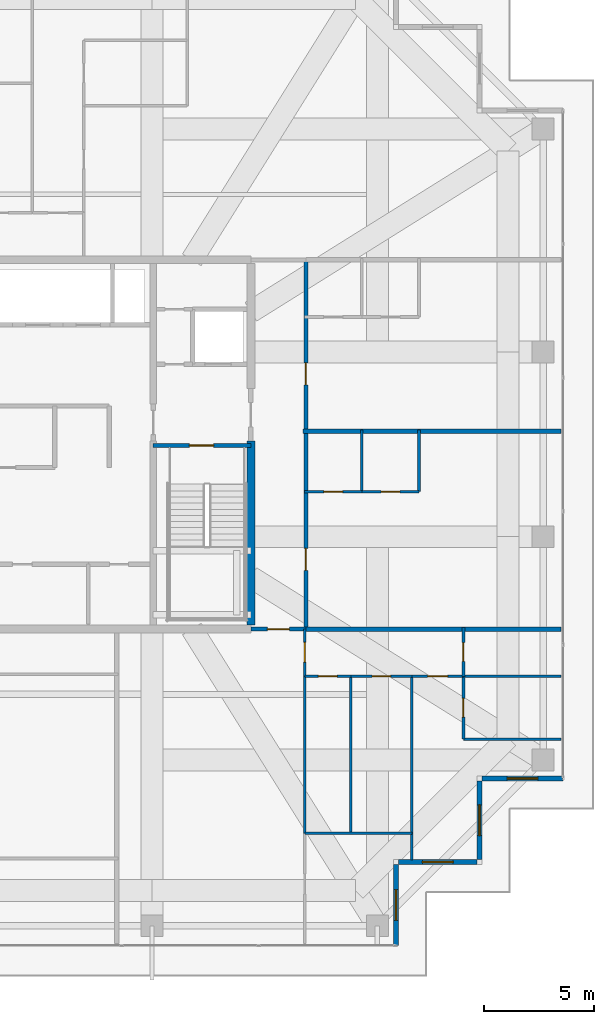
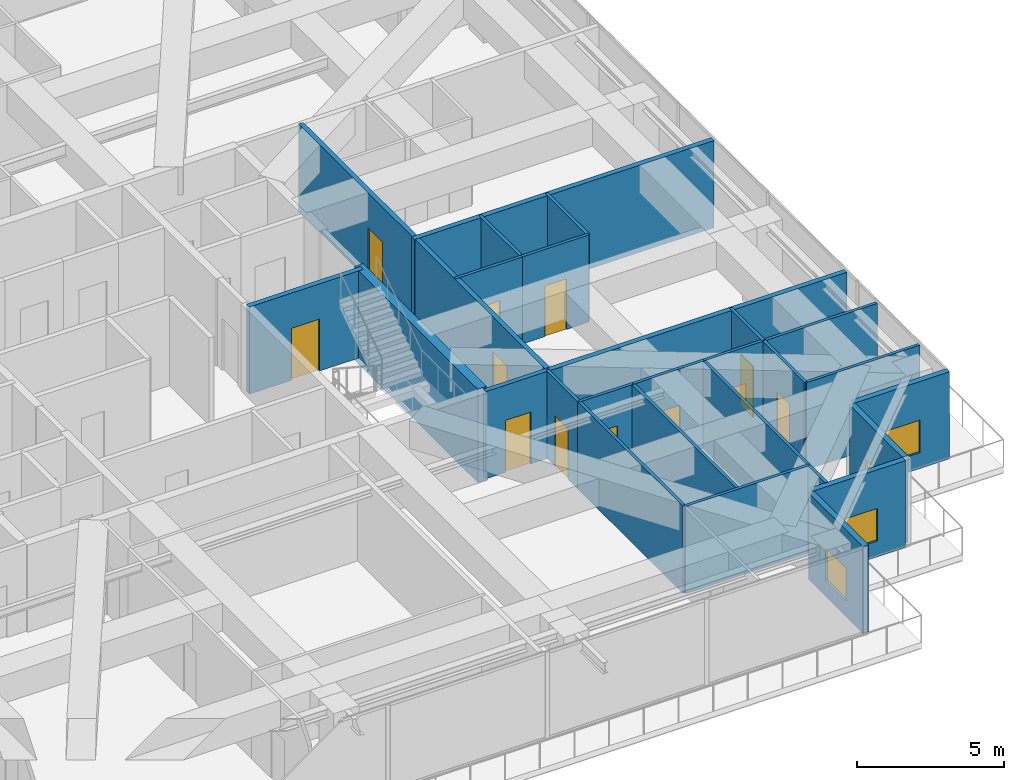
# One storey, part 31 of 40: 26 walls, 12 doors, 4 windows, 16 openings.
"""IFC4 building model written with IfcOpenShell, lengths in metres."""

import ifcopenshell
import ifcopenshell.guid

model = None  # the IFC model being written
_history = None  # IfcOwnerHistory: only IFC2X3 demands one
_inside = {}  # id of a spatial element -> (the spatial element, [elements in it])
_under = {}  # id of a project, library or spatial element -> (it, [spatial elements below it])
_declared = {}  # id of a project -> (the project, [libraries it declares])
_typed = {}  # id of a type object -> (the type object, [elements of that type])
_made_of = {}  # id of a material, layer set ... -> (it, [elements and type objects made of it])


def new_model(schema):
    """Start an empty IFC model of exactly this schema.

    Asked for "IFC4X3", IfcOpenShell would pick the latest addendum, in which some entities
    have other attributes; the version numbers below select the first issue.
    IFC2X3 requires an IfcOwnerHistory on every rooted entity: one is made here for all.
    """
    global model, _history
    if schema == "IFC4X3":
        model = ifcopenshell.file(schema_version=(4, 3, 0, 0))
    else:
        model = ifcopenshell.file(schema=schema)
    _inside.clear()
    _under.clear()
    _declared.clear()
    _typed.clear()
    _made_of.clear()
    _history = None
    if model.schema == "IFC2X3":
        org = make("IfcOrganization", Name="unknown")
        user = make(
            "IfcPersonAndOrganization",
            ThePerson=make("IfcPerson", FamilyName="unknown"),
            TheOrganization=org,
        )
        app = make(
            "IfcApplication",
            ApplicationDeveloper=org,
            Version="unknown",
            ApplicationFullName="unknown",
            ApplicationIdentifier="unknown",
        )
        _history = make(
            "IfcOwnerHistory",
            OwningUser=user,
            OwningApplication=app,
            ChangeAction="ADDED",
            CreationDate=0,
        )
    return model


def make(cls, **values):
    """One entity of the class cls with the attributes given. An attribute that is None is left unset."""
    return model.create_entity(
        cls, **{name: value for name, value in values.items() if value is not None}
    )


def rooted(cls, **values):
    """An entity with a GlobalId (a new one), such as an element, a storey or a relation."""
    return make(cls, GlobalId=ifcopenshell.guid.new(), OwnerHistory=_history, **values)


def si_unit(unit_type, name, prefix=None):
    """IfcSIUnit, for example si_unit("LENGTHUNIT", "METRE", prefix="MILLI")."""
    return make("IfcSIUnit", UnitType=unit_type, Prefix=prefix, Name=name)


def assignment(units):
    """IfcUnitAssignment: the units of a project."""
    return None if units is None else make("IfcUnitAssignment", Units=units)


def point(xyz):
    """IfcCartesianPoint."""
    return None if xyz is None else make("IfcCartesianPoint", Coordinates=xyz)


def direction(xyz):
    """IfcDirection."""
    return None if xyz is None else make("IfcDirection", DirectionRatios=xyz)


def frame(location, z_axis=None, x_axis=None):
    """IfcAxis2Placement3D, a coordinate frame: its origin and axes. An axis left out is left unset."""
    return make(
        "IfcAxis2Placement3D",
        Location=point(location),
        Axis=direction(z_axis),
        RefDirection=direction(x_axis),
    )


def frame_2d(location, x_axis=None):
    """IfcAxis2Placement2D, a coordinate frame in the plane: its origin and x axis."""
    return make(
        "IfcAxis2Placement2D", Location=point(location), RefDirection=direction(x_axis)
    )


def origin():
    """The frame at (0, 0, 0) with its axes left unset."""
    return frame((0.0, 0.0, 0.0))


def place(relative_to, where):
    """IfcLocalPlacement: puts the frame where relative to a parent placement (None: the world)."""
    return make(
        "IfcLocalPlacement", PlacementRelTo=relative_to, RelativePlacement=where
    )


def context(
    kind, dimensions, precision=None, world=None, true_north=None, identifier=None
):
    """IfcGeometricRepresentationContext, for example the 3D "Model" context."""
    return make(
        "IfcGeometricRepresentationContext",
        ContextIdentifier=identifier,
        ContextType=kind,
        CoordinateSpaceDimension=dimensions,
        Precision=precision,
        WorldCoordinateSystem=world,
        TrueNorth=true_north,
    )


def subcontext(parent, identifier, kind, view, scale=None):
    """IfcGeometricRepresentationSubContext, for example "Body" below "Model"."""
    return make(
        "IfcGeometricRepresentationSubContext",
        ContextIdentifier=identifier,
        ContextType=kind,
        ParentContext=parent,
        TargetScale=scale,
        TargetView=view,
    )


def project(units=None, contexts=None):
    """IfcProject with its units and contexts."""
    return rooted(
        "IfcProject",
        Name="project",
        RepresentationContexts=contexts,
        UnitsInContext=assignment(units),
    )


def spatial(cls, under=None, at=None, **own):
    """A site, building, storey or space (cls), placed at a placement, below another one or the project."""
    s = rooted(cls, ObjectPlacement=at, **own)
    if under is not None:
        _under.setdefault(under.id(), (under, []))[1].append(s)
    return s


def profile(cls, at=None, kind="AREA", **sizes):
    """A parametric profile (cls). Its sizes go by their IFC names, for example OverallWidth=200.0."""
    return make(cls, ProfileType=kind, Position=at, **sizes)


def rectangle(**sizes):
    """IfcRectangleProfileDef."""
    return profile("IfcRectangleProfileDef", **sizes)


def extrude(swept, where, along, depth):
    """IfcExtrudedAreaSolid: the profile swept, set in the frame where, extruded along a direction by depth."""
    return make(
        "IfcExtrudedAreaSolid",
        SweptArea=swept,
        Position=where,
        ExtrudedDirection=direction(along),
        Depth=depth,
    )


def shape(context_of_items, identifier, shape_type, items):
    """IfcShapeRepresentation: the items that make up one representation, for example the "Body"."""
    return make(
        "IfcShapeRepresentation",
        ContextOfItems=context_of_items,
        RepresentationIdentifier=identifier,
        RepresentationType=shape_type,
        Items=items,
    )


def source(mapping_origin, context_of_items, identifier, shape_type, items):
    """IfcRepresentationMap: a shape defined once, which mapped items show again and again."""
    return make(
        "IfcRepresentationMap",
        MappingOrigin=mapping_origin,
        MappedRepresentation=shape(context_of_items, identifier, shape_type, items),
    )


def transform(
    local_origin,
    x_axis=None,
    y_axis=None,
    z_axis=None,
    scale=None,
    scale2=None,
    scale3=None,
    uniform=True,
):
    """IfcCartesianTransformationOperator3D, or its non-uniform kind. x_axis, y_axis, z_axis: its Axis1, 2, 3."""
    if uniform:
        return make(
            "IfcCartesianTransformationOperator3D",
            Axis1=direction(x_axis),
            Axis2=direction(y_axis),
            LocalOrigin=point(local_origin),
            Scale=scale,
            Axis3=direction(z_axis),
        )
    return make(
        "IfcCartesianTransformationOperator3DnonUniform",
        Axis1=direction(x_axis),
        Axis2=direction(y_axis),
        LocalOrigin=point(local_origin),
        Scale=scale,
        Axis3=direction(z_axis),
        Scale2=scale2,
        Scale3=scale3,
    )


def mapped(mapping_source, mapping_target):
    """IfcMappedItem: shows the shape of a source again, moved by a transform."""
    return make(
        "IfcMappedItem", MappingSource=mapping_source, MappingTarget=mapping_target
    )


def material(Name=None, Category=None):
    """IfcMaterial."""
    return make("IfcMaterial", Name=Name, Category=Category)


def layer(
    of_material, thickness, ventilated=None, Name=None, Category=None, Priority=None
):
    """IfcMaterialLayer: one layer of a wall or slab, of a material (None: an air gap)."""
    return make(
        "IfcMaterialLayer",
        Material=of_material,
        LayerThickness=thickness,
        IsVentilated=ventilated,
        Name=Name,
        Category=Category,
        Priority=Priority,
    )


def layer_set(layers, Name=None):
    """IfcMaterialLayerSet."""
    return make("IfcMaterialLayerSet", MaterialLayers=layers, LayerSetName=Name)


def made_of(thing, what):
    """Note that an element or type object is made of a material, layer set ...; save() writes the relation."""
    if what is not None:
        _made_of.setdefault(what.id(), (what, []))[1].append(thing)
    return thing


def type_object(cls, material=None, **own):
    """A type object (cls), such as IfcWallType, which elements share."""
    return made_of(rooted(cls, **own), material)


def element(
    cls,
    number,
    at=None,
    inside=None,
    cuts=None,
    type_object=None,
    material=None,
    context=None,
    identifier="Body",
    shape_type=None,
    held_by="IfcProductDefinitionShape",
    body=None,
    shapes=None,
    **own,
):
    """One element of the class cls, such as IfcWall. Its Tag is "e" and its number.

    at: its placement. inside: the storey or other place that contains it. cuts: it is an
    opening in that element (IfcRelVoidsElement). A single representation is given by context,
    identifier, shape_type and body (its items); several are given by shapes. held_by: the class
    of the entity that holds the representations. save() writes the other relations.
    """
    e = rooted(cls, Tag="e%d" % number, ObjectPlacement=at, **own)
    if body is not None:
        shapes = [shape(context, identifier, shape_type, body)]
    if shapes is not None:
        e.Representation = make(held_by, Representations=shapes)
    if inside is not None:
        _inside.setdefault(inside.id(), (inside, []))[1].append(e)
    if cuts is not None:
        rooted(
            "IfcRelVoidsElement", RelatingBuildingElement=cuts, RelatedOpeningElement=e
        )
    if type_object is not None:
        _typed.setdefault(type_object.id(), (type_object, []))[1].append(e)
    return made_of(e, material)


def fill(opening, filler):
    """IfcRelFillsElement: the door or window that sits in an opening."""
    return rooted(
        "IfcRelFillsElement",
        RelatingOpeningElement=opening,
        RelatedBuildingElement=filler,
    )


def aggregate(whole, parts):
    """IfcRelAggregates: a whole, such as a stair, and the parts it consists of."""
    return rooted("IfcRelAggregates", RelatingObject=whole, RelatedObjects=parts)


def save(model, path):
    """Write the relations noted so far, then the file.

    IfcRelAggregates (storeys below a building ...), IfcRelContainedInSpatialStructure (elements
    in a storey), IfcRelDefinesByType, IfcRelAssociatesMaterial and IfcRelDeclares: one each for
    every whole, place, type object, material and project.
    """
    for whole, parts in _under.values():
        aggregate(whole, parts)
    for where, things in _inside.values():
        rooted(
            "IfcRelContainedInSpatialStructure",
            RelatedElements=things,
            RelatingStructure=where,
        )
    for kind, things in _typed.values():
        rooted("IfcRelDefinesByType", RelatedObjects=things, RelatingType=kind)
    for what, things in _made_of.values():
        rooted("IfcRelAssociatesMaterial", RelatedObjects=things, RelatingMaterial=what)
    for by, libraries in _declared.values():
        rooted("IfcRelDeclares", RelatingContext=by, RelatedDefinitions=libraries)
    model.write(path)


model = new_model("IFC4")

# Units and contexts
model_context = context("Model", 3, precision=1e-05, world=origin(), true_north=direction((0.0, 1.0)))
body_context = subcontext(model_context, "Body", "Model", "MODEL_VIEW")
ifc_project = project(units=[si_unit("LENGTHUNIT", "METRE"), si_unit("AREAUNIT", "SQUARE_METRE"), si_unit("VOLUMEUNIT", "CUBIC_METRE"), si_unit("PLANEANGLEUNIT", "RADIAN"), si_unit("MASSUNIT", "GRAM", prefix="KILO")], contexts=[model_context])

# Site, building, storey
site_placement = place(None, origin())
site = spatial("IfcSite", under=ifc_project, at=site_placement, CompositionType="ELEMENT")
building_placement = place(site_placement, origin())
building = spatial("IfcBuilding", under=site, at=building_placement, Name="Serunith Strait Residences", CompositionType="ELEMENT")
storey_placement = place(building_placement, frame((0.0, 0.0, 333.949951171875)))
storey = spatial("IfcBuildingStorey", under=building, at=storey_placement, Name="L83", CompositionType="ELEMENT", Elevation=333.949951171875)

# Wall, opening, window
ifc_material_1 = material(Name="Pale-Champagne Aluminium Insulated Panel", Category="aluminium")
ifc_layer_1 = layer(ifc_material_1, 0.219970703125, Name="Pale-Champagne Aluminium Insulated Panel")
ifc_layer_set_1 = layer_set([ifc_layer_1], Name="Pale-Champagne Aluminium Insulated Panel")
wall_type_1 = type_object("IfcWallType", Name="EW-ALUM-220", PredefinedType="ELEMENTEDWALL", material=ifc_layer_set_1)
wall_1_placement = place(storey_placement, frame((48.0, 2.39990234375, 0.0), z_axis=(0.0, 0.0, 1.0), x_axis=(0.0, 1.0, 0.0)))
wall_1 = element("IfcWall", 1, at=wall_1_placement, inside=storey, type_object=wall_type_1, Name="L83 Girih Serrated Corner Wall 02", PredefinedType="ELEMENTEDWALL", context=body_context, shape_type="SweptSolid", body=[
    extrude(rectangle(XDim=3.690185546875, YDim=0.219970703125, at=frame_2d((1.84521484375, 0.0))), origin(), (0.0, 0.0, 1.0), 3.594970703125),
])
opening_1_placement = place(wall_1_placement, frame((1.14501953125, 0.0, 0.64990234375)))
opening_1 = element("IfcOpeningElement", 2, at=opening_1_placement, cuts=wall_1, Name="Opening W-09", PredefinedType="OPENING", context=body_context, shape_type="SweptSolid", body=[
    extrude(rectangle(XDim=1.39990234375, YDim=1.35009765625, at=frame_2d((0.699951171875, 0.675048828125))), frame((0.0, 0.1201171875, 0.0), z_axis=(0.0, -1.0, 0.0), x_axis=(1.0, 0.0, 0.0)), (0.0, 0.0, 1.0), 0.239990234375),
])
ifc_material_2 = material(Name="Setback Spandrel Ceramic-Fritted Operable Window Glass", Category="glass")
window_type = type_object("IfcWindowType", Name="WIN-C7", PartitioningType="DOUBLE_PANEL_VERTICAL", PredefinedType="WINDOW", material=ifc_material_2)
shared_shape_1 = source(origin(), body_context, "Body", "SweptSolid", [
    extrude(rectangle(XDim=1.39990234375, YDim=1.35009765625, at=frame_2d((0.699951171875, 0.675048828125))), frame((0.0, 0.030029296875, 0.0), z_axis=(0.0, -1.0, 0.0), x_axis=(1.0, 0.0, 0.0)), (0.0, 0.0, 1.0), 0.06005859375),
])
window_1_placement = place(opening_1_placement, origin())
window_1 = element("IfcWindow", 3, at=window_1_placement, inside=storey, type_object=window_type, Name="L83 Corner Operable Fritted Window 02", OverallHeight=1.35009765625, OverallWidth=1.39990234375, PartitioningType="SINGLE_PANEL", PredefinedType="WINDOW", context=body_context, shape_type="MappedRepresentation", body=[
    mapped(shared_shape_1, transform((0.0, 0.0, 0.0), scale=1.0)),
])
fill(opening_1, window_1)

wall_2_placement = place(storey_placement, frame((48.110107421875, 6.199951171875, 0.0), z_axis=(0.0, 0.0, 1.0), x_axis=(1.0, 0.0, 0.0)))
wall_2 = element("IfcWall", 4, at=wall_2_placement, inside=storey, type_object=wall_type_1, Name="L83 Girih Serrated Corner Wall 03", PredefinedType="ELEMENTEDWALL", context=body_context, shape_type="SweptSolid", body=[
    extrude(rectangle(XDim=3.579833984375, YDim=0.219970703125, at=frame_2d((1.7900390625, 0.0))), origin(), (0.0, 0.0, 1.0), 3.594970703125),
])
opening_2_placement = place(wall_2_placement, frame((1.090087890625, 0.0, 0.64990234375)))
opening_2 = element("IfcOpeningElement", 5, at=opening_2_placement, cuts=wall_2, Name="Opening W-09", PredefinedType="OPENING", context=body_context, shape_type="SweptSolid", body=[
    extrude(rectangle(XDim=1.39990234375, YDim=1.35009765625, at=frame_2d((0.699951171875, 0.675048828125))), frame((0.0, 0.1201171875, 0.0), z_axis=(0.0, -1.0, 0.0), x_axis=(1.0, 0.0, 0.0)), (0.0, 0.0, 1.0), 0.239990234375),
])
window_2_placement = place(opening_2_placement, origin())
window_2 = element("IfcWindow", 6, at=window_2_placement, inside=storey, type_object=window_type, Name="L83 Corner Operable Fritted Window 03", OverallHeight=1.35009765625, OverallWidth=1.39990234375, PartitioningType="SINGLE_PANEL", PredefinedType="WINDOW", context=body_context, shape_type="MappedRepresentation", body=[
    mapped(shared_shape_1, transform((0.0, 0.0, 0.0), scale=1.0)),
])
fill(opening_2, window_2)

wall_3_placement = place(storey_placement, frame((51.800048828125, 6.31005859375, 0.0), z_axis=(0.0, 0.0, 1.0), x_axis=(0.0, 1.0, 0.0)))
wall_3 = element("IfcWall", 7, at=wall_3_placement, inside=storey, type_object=wall_type_1, Name="L83 Girih Serrated Corner Wall 04", PredefinedType="ELEMENTEDWALL", context=body_context, shape_type="SweptSolid", body=[
    extrude(rectangle(XDim=3.579833984375, YDim=0.219970703125, at=frame_2d((1.7900390625, 0.0))), origin(), (0.0, 0.0, 1.0), 3.594970703125),
])
opening_3_placement = place(wall_3_placement, frame((1.090087890625, 0.0, 0.64990234375)))
opening_3 = element("IfcOpeningElement", 8, at=opening_3_placement, cuts=wall_3, Name="Opening W-09", PredefinedType="OPENING", context=body_context, shape_type="SweptSolid", body=[
    extrude(rectangle(XDim=1.39990234375, YDim=1.35009765625, at=frame_2d((0.699951171875, 0.675048828125))), frame((0.0, 0.1201171875, 0.0), z_axis=(0.0, -1.0, 0.0), x_axis=(1.0, 0.0, 0.0)), (0.0, 0.0, 1.0), 0.239990234375),
])
window_3_placement = place(opening_3_placement, origin())
window_3 = element("IfcWindow", 9, at=window_3_placement, inside=storey, type_object=window_type, Name="L83 Corner Operable Fritted Window 04", OverallHeight=1.35009765625, OverallWidth=1.39990234375, PartitioningType="SINGLE_PANEL", PredefinedType="WINDOW", context=body_context, shape_type="MappedRepresentation", body=[
    mapped(shared_shape_1, transform((0.0, 0.0, 0.0), scale=1.0)),
])
fill(opening_3, window_3)

wall_4_placement = place(storey_placement, frame((51.909912109375, 10.0, 0.0), z_axis=(0.0, 0.0, 1.0), x_axis=(1.0, 0.0, 0.0)))
wall_4 = element("IfcWall", 10, at=wall_4_placement, inside=storey, type_object=wall_type_1, Name="L83 Girih Serrated Corner Wall 05", PredefinedType="ELEMENTEDWALL", context=body_context, shape_type="SweptSolid", body=[
    extrude(rectangle(XDim=3.690185546875, YDim=0.219970703125, at=frame_2d((1.84521484375, 0.0))), origin(), (0.0, 0.0, 1.0), 3.594970703125),
])
opening_4_placement = place(wall_4_placement, frame((1.14501953125, 0.0, 0.64990234375)))
opening_4 = element("IfcOpeningElement", 11, at=opening_4_placement, cuts=wall_4, Name="Opening W-09", PredefinedType="OPENING", context=body_context, shape_type="SweptSolid", body=[
    extrude(rectangle(XDim=1.39990234375, YDim=1.35009765625, at=frame_2d((0.699951171875, 0.675048828125))), frame((0.0, 0.1201171875, 0.0), z_axis=(0.0, -1.0, 0.0), x_axis=(1.0, 0.0, 0.0)), (0.0, 0.0, 1.0), 0.239990234375),
])
window_4_placement = place(opening_4_placement, origin())
window_4 = element("IfcWindow", 12, at=window_4_placement, inside=storey, type_object=window_type, Name="L83 Corner Operable Fritted Window 05", OverallHeight=1.35009765625, OverallWidth=1.39990234375, PartitioningType="SINGLE_PANEL", PredefinedType="WINDOW", context=body_context, shape_type="MappedRepresentation", body=[
    mapped(shared_shape_1, transform((0.0, 0.0, 0.0), scale=1.0)),
])
fill(opening_4, window_4)

# Wall, opening, door
ifc_material_3 = material(Name="Fire-rated acoustic gypsum partition")
ifc_layer_2 = layer(ifc_material_3, 0.179931640625, Name="Fire-rated acoustic gypsum partition")
ifc_layer_set_2 = layer_set([ifc_layer_2], Name="Fire-rated acoustic gypsum partition")
wall_type_2 = type_object("IfcWallType", Name="IW-CORR-180", PredefinedType="PARTITIONING", material=ifc_layer_set_2)
wall_5_placement = place(storey_placement, frame((41.402099609375, 16.800048828125, 0.0), z_axis=(0.0, 0.0, 1.0), x_axis=(1.0, 0.0, 0.0)))
wall_5 = element("IfcWall", 13, at=wall_5_placement, inside=storey, type_object=wall_type_2, Name="L83 Partition Wall 030", PredefinedType="PARTITIONING", context=body_context, shape_type="SweptSolid", body=[
    extrude(rectangle(XDim=2.495849609375, YDim=0.179931640625, at=frame_2d((1.248046875, 0.0))), origin(), (0.0, 0.0, 1.0), 3.610107421875),
])
opening_5_placement = place(wall_5_placement, frame((0.748046875, 0.0, 0.0)))
opening_5 = element("IfcOpeningElement", 14, at=opening_5_placement, cuts=wall_5, Name="Opening D-APT1000", PredefinedType="OPENING", context=body_context, shape_type="SweptSolid", body=[
    extrude(rectangle(XDim=1.0, YDim=2.14990234375, at=frame_2d((0.5, 1.074951171875))), frame((0.0, 0.10009765625, 0.0), z_axis=(0.0, -1.0, 0.0), x_axis=(1.0, 0.0, 0.0)), (0.0, 0.0, 1.0), 0.199951171875),
])
ifc_material_4 = material(Name="Solid timber engineered fire door", Category="wood")
door_type_1 = type_object("IfcDoorType", Name="ID-APT-1000", OperationType="NOTDEFINED", PredefinedType="DOOR", material=ifc_material_4)
shared_shape_2 = source(origin(), body_context, "Body", "SweptSolid", [
    extrude(rectangle(XDim=1.0, YDim=2.14990234375, at=frame_2d((0.5, 1.074951171875))), frame((0.0, 0.02490234375, 0.0), z_axis=(0.0, -1.0, 0.0), x_axis=(1.0, 0.0, 0.0)), (0.0, 0.0, 1.0), 0.050048828125),
])
door_1_placement = place(opening_5_placement, origin())
door_1 = element("IfcDoor", 15, at=door_1_placement, inside=storey, type_object=door_type_1, Name="L83 Unit 02 Entrance Door", OperationType="SINGLE_SWING_LEFT", OverallHeight=2.14990234375, OverallWidth=1.0, PredefinedType="DOOR", context=body_context, shape_type="MappedRepresentation", body=[
    mapped(shared_shape_2, transform((0.0, 0.0, 0.0), scale=1.0)),
])
fill(opening_5, door_1)

# Wall, openings, doors
wall_6_placement = place(storey_placement, frame((43.89990234375, 16.800048828125, 0.0), z_axis=(0.0, 0.0, 1.0), x_axis=(0.0, 1.0, 0.0)))
wall_6 = element("IfcWall", 16, at=wall_6_placement, inside=storey, type_object=wall_type_2, Name="L83 Partition Wall 032", PredefinedType="PARTITIONING", context=body_context, shape_type="SweptSolid", body=[
    extrude(rectangle(XDim=16.800048828125, YDim=0.179931640625, at=frame_2d((8.39990234375, 0.0))), origin(), (0.0, 0.0, 1.0), 3.610107421875),
])
opening_6_placement = place(wall_6_placement, frame((2.669921875, 0.0, 0.0)))
opening_6 = element("IfcOpeningElement", 17, at=opening_6_placement, cuts=wall_6, Name="Opening D-APT1000", PredefinedType="OPENING", context=body_context, shape_type="SweptSolid", body=[
    extrude(rectangle(XDim=1.0, YDim=2.14990234375, at=frame_2d((0.5, 1.074951171875))), frame((0.0, 0.10009765625, 0.0), z_axis=(0.0, -1.0, 0.0), x_axis=(1.0, 0.0, 0.0)), (0.0, 0.0, 1.0), 0.199951171875),
])
opening_7_placement = place(wall_6_placement, frame((11.10693359375, 0.0, 0.0)))
opening_7 = element("IfcOpeningElement", 18, at=opening_7_placement, cuts=wall_6, Name="Opening D-APT1000", PredefinedType="OPENING", context=body_context, shape_type="SweptSolid", body=[
    extrude(rectangle(XDim=1.0, YDim=2.14990234375, at=frame_2d((0.5, 1.074951171875))), frame((0.0, 0.10009765625, 0.0), z_axis=(0.0, -1.0, 0.0), x_axis=(1.0, 0.0, 0.0)), (0.0, 0.0, 1.0), 0.199951171875),
])
door_2_placement = place(opening_6_placement, origin())
door_2 = element("IfcDoor", 19, at=door_2_placement, inside=storey, type_object=door_type_1, Name="L83 Unit 06 Entrance Door", OperationType="SINGLE_SWING_RIGHT", OverallHeight=2.14990234375, OverallWidth=1.0, PredefinedType="DOOR", context=body_context, shape_type="MappedRepresentation", body=[
    mapped(shared_shape_2, transform((0.0, 0.0, 0.0), scale=1.0)),
])
fill(opening_6, door_2)
door_3_placement = place(opening_7_placement, origin())
door_3 = element("IfcDoor", 20, at=door_3_placement, inside=storey, type_object=door_type_1, Name="L83 Unit 07 Entrance Door", OperationType="SINGLE_SWING_LEFT", OverallHeight=2.14990234375, OverallWidth=1.0, PredefinedType="DOOR", context=body_context, shape_type="MappedRepresentation", body=[
    mapped(shared_shape_2, transform((0.0, 0.0, 0.0), scale=1.0)),
])
fill(opening_7, door_3)

# Wall, opening, door
ifc_material_5 = material(Name="Lightweight steel-stud gypsum partition", Category="steel")
ifc_layer_3 = layer(ifc_material_5, 0.1201171875, Name="Lightweight steel-stud gypsum partition")
ifc_layer_set_3 = layer_set([ifc_layer_3], Name="Lightweight steel-stud gypsum partition")
wall_type_3 = type_object("IfcWallType", Name="IW-PART-120", PredefinedType="PARTITIONING", material=ifc_layer_set_3)
wall_7_placement = place(storey_placement, frame((43.85009765625, 14.64990234375, 0.0), z_axis=(0.0, 0.0, 1.0), x_axis=(0.0, 1.0, 0.0)))
wall_7 = element("IfcWall", 21, at=wall_7_placement, inside=storey, type_object=wall_type_3, Name="L83 Partition Wall 045", PredefinedType="PARTITIONING", context=body_context, shape_type="SweptSolid", body=[
    extrude(rectangle(XDim=2.148193359375, YDim=0.1201171875, at=frame_2d((1.07421875, 0.0))), origin(), (0.0, 0.0, 1.0), 3.610107421875),
])
opening_8_placement = place(wall_7_placement, frame((0.64208984375, 0.0, 0.0)))
opening_8 = element("IfcOpeningElement", 22, at=opening_8_placement, cuts=wall_7, Name="Opening D-RM900", PredefinedType="OPENING", context=body_context, shape_type="SweptSolid", body=[
    extrude(rectangle(XDim=0.89990234375, YDim=2.10009765625, at=frame_2d((0.449951171875, 1.050048828125))), frame((0.0, 0.070068359375, 0.0), z_axis=(0.0, -1.0, 0.0), x_axis=(1.0, 0.0, 0.0)), (0.0, 0.0, 1.0), 0.14013671875),
])
ifc_material_6 = material(Name="Engineered timber flush bedroom door", Category="wood")
door_type_2 = type_object("IfcDoorType", Name="ID-ROOM-900", OperationType="NOTDEFINED", PredefinedType="DOOR", material=ifc_material_6)
shared_shape_3 = source(origin(), body_context, "Body", "SweptSolid", [
    extrude(rectangle(XDim=0.89990234375, YDim=2.10009765625, at=frame_2d((0.449951171875, 1.050048828125))), frame((0.0, 0.02490234375, 0.0), z_axis=(0.0, -1.0, 0.0), x_axis=(1.0, 0.0, 0.0)), (0.0, 0.0, 1.0), 0.050048828125),
])
door_4_placement = place(opening_8_placement, origin())
door_4 = element("IfcDoor", 23, at=door_4_placement, inside=storey, type_object=door_type_2, Name="L83 Hall E 8302 Door", OperationType="SINGLE_SWING_LEFT", OverallHeight=2.10009765625, OverallWidth=0.89990234375, PredefinedType="DOOR", context=body_context, shape_type="MappedRepresentation", body=[
    mapped(shared_shape_3, transform((0.0, 0.0, 0.0), scale=1.0)),
])
fill(opening_8, door_4)

# Walls
wall_8_placement = place(storey_placement, frame((43.85009765625, 7.5048828125, 0.0), z_axis=(0.0, 0.0, 1.0), x_axis=(0.0, 1.0, 0.0)))
element("IfcWall", 24, at=wall_8_placement, inside=storey, type_object=wall_type_3, Name="L83 Partition Wall 047", PredefinedType="PARTITIONING", context=body_context, shape_type="SweptSolid", body=[
    extrude(rectangle(XDim=7.14306640625, YDim=0.1201171875, at=frame_2d((3.571533203125, 0.0))), origin(), (0.0, 0.0, 1.0), 3.610107421875),
])
wall_9_placement = place(storey_placement, frame((43.85009765625, 7.5029296875, 0.0), z_axis=(0.0, 0.0, 1.0), x_axis=(1.0, 0.0, 0.0)))
element("IfcWall", 25, at=wall_9_placement, inside=storey, type_object=wall_type_3, Name="L83 Partition Wall 048", PredefinedType="PARTITIONING", context=body_context, shape_type="SweptSolid", body=[
    extrude(rectangle(XDim=4.869873046875, YDim=0.1201171875, at=frame_2d((2.43505859375, 0.0))), origin(), (0.0, 0.0, 1.0), 3.610107421875),
])
wall_10_placement = place(storey_placement, frame((48.719970703125, 6.294921875, 0.0), z_axis=(0.0, 0.0, 1.0), x_axis=(0.0, 1.0, 0.0)))
element("IfcWall", 26, at=wall_10_placement, inside=storey, type_object=wall_type_3, Name="L83 Partition Wall 049", PredefinedType="PARTITIONING", context=body_context, shape_type="SweptSolid", body=[
    extrude(rectangle(XDim=8.35498046875, YDim=0.1201171875, at=frame_2d((4.177490234375, 0.0))), origin(), (0.0, 0.0, 1.0), 3.610107421875),
])
wall_11_placement = place(storey_placement, frame((45.949951171875, 7.5029296875, 0.0), z_axis=(0.0, 0.0, 1.0), x_axis=(0.0, 1.0, 0.0)))
element("IfcWall", 27, at=wall_11_placement, inside=storey, type_object=wall_type_3, Name="L83 Partition Wall 050", PredefinedType="PARTITIONING", context=body_context, shape_type="SweptSolid", body=[
    extrude(rectangle(XDim=7.14697265625, YDim=0.1201171875, at=frame_2d((3.573486328125, 0.0))), origin(), (0.0, 0.0, 1.0), 3.610107421875),
])

# Wall, opening, door
wall_12_placement = place(storey_placement, frame((43.85009765625, 14.64990234375, 0.0), z_axis=(0.0, 0.0, 1.0), x_axis=(1.0, 0.0, 0.0)))
wall_12 = element("IfcWall", 28, at=wall_12_placement, inside=storey, type_object=wall_type_3, Name="L83 Partition Wall 051", PredefinedType="PARTITIONING", context=body_context, shape_type="SweptSolid", body=[
    extrude(rectangle(XDim=2.099853515625, YDim=0.1201171875, at=frame_2d((1.0498046875, 0.0))), origin(), (0.0, 0.0, 1.0), 3.610107421875),
])
opening_9_placement = place(wall_12_placement, frame((0.625, 0.0, 0.0)))
opening_9 = element("IfcOpeningElement", 29, at=opening_9_placement, cuts=wall_12, Name="Opening D-BTH850", PredefinedType="OPENING", context=body_context, shape_type="SweptSolid", body=[
    extrude(rectangle(XDim=0.85009765625, YDim=2.10009765625, at=frame_2d((0.425048828125, 1.050048828125))), frame((0.0, 0.070068359375, 0.0), z_axis=(0.0, -1.0, 0.0), x_axis=(1.0, 0.0, 0.0)), (0.0, 0.0, 1.0), 0.14013671875),
])
ifc_material_7 = material(Name="Moisture-resistant timber bathroom door", Category="wood")
door_type_3 = type_object("IfcDoorType", Name="ID-BATH-850", OperationType="NOTDEFINED", PredefinedType="DOOR", material=ifc_material_7)
shared_shape_4 = source(origin(), body_context, "Body", "SweptSolid", [
    extrude(rectangle(XDim=0.85009765625, YDim=2.10009765625, at=frame_2d((0.425048828125, 1.050048828125))), frame((0.0, 0.02490234375, 0.0), z_axis=(0.0, -1.0, 0.0), x_axis=(1.0, 0.0, 0.0)), (0.0, 0.0, 1.0), 0.050048828125),
])
door_5_placement = place(opening_9_placement, origin())
door_5 = element("IfcDoor", 30, at=door_5_placement, inside=storey, type_object=door_type_3, Name="L83 Bathroom 8302 Door", OperationType="SINGLE_SWING_LEFT", OverallHeight=2.10009765625, OverallWidth=0.85009765625, PredefinedType="DOOR", context=body_context, shape_type="MappedRepresentation", body=[
    mapped(shared_shape_4, transform((0.0, 0.0, 0.0), scale=1.0)),
])
fill(opening_9, door_5)

wall_13_placement = place(storey_placement, frame((45.951904296875, 14.64990234375, 0.0), z_axis=(0.0, 0.0, 1.0), x_axis=(1.0, 0.0, 0.0)))
wall_13 = element("IfcWall", 31, at=wall_13_placement, inside=storey, type_object=wall_type_3, Name="L83 Partition Wall 052", PredefinedType="PARTITIONING", context=body_context, shape_type="SweptSolid", body=[
    extrude(rectangle(XDim=2.76806640625, YDim=0.1201171875, at=frame_2d((1.384033203125, 0.0))), origin(), (0.0, 0.0, 1.0), 3.610107421875),
])
opening_10_placement = place(wall_13_placement, frame((0.958984375, 0.0, 0.0)))
opening_10 = element("IfcOpeningElement", 32, at=opening_10_placement, cuts=wall_13, Name="Opening D-RM850", PredefinedType="OPENING", context=body_context, shape_type="SweptSolid", body=[
    extrude(rectangle(XDim=0.85009765625, YDim=2.10009765625, at=frame_2d((0.425048828125, 1.050048828125))), frame((0.0, 0.070068359375, 0.0), z_axis=(0.0, -1.0, 0.0), x_axis=(1.0, 0.0, 0.0)), (0.0, 0.0, 1.0), 0.14013671875),
])
ifc_material_8 = material(Name="Engineered timber flush study and kitchen door", Category="wood")
door_type_4 = type_object("IfcDoorType", Name="ID-ROOM-850", OperationType="NOTDEFINED", PredefinedType="DOOR", material=ifc_material_8)
door_6_placement = place(opening_10_placement, origin())
door_6 = element("IfcDoor", 33, at=door_6_placement, inside=storey, type_object=door_type_4, Name="L83 Kitchen 8302 Door", OperationType="SINGLE_SWING_RIGHT", OverallHeight=2.10009765625, OverallWidth=0.85009765625, PredefinedType="DOOR", context=body_context, shape_type="MappedRepresentation", body=[
    mapped(shared_shape_4, transform((0.0, 0.0, 0.0), scale=1.0)),
])
fill(opening_10, door_6)

wall_14_placement = place(storey_placement, frame((48.721923828125, 14.64990234375, 0.0), z_axis=(0.0, 0.0, 1.0), x_axis=(1.0, 0.0, 0.0)))
wall_14 = element("IfcWall", 34, at=wall_14_placement, inside=storey, type_object=wall_type_3, Name="L83 Partition Wall 053", PredefinedType="PARTITIONING", context=body_context, shape_type="SweptSolid", body=[
    extrude(rectangle(XDim=2.34814453125, YDim=0.1201171875, at=frame_2d((1.174072265625, 0.0))), origin(), (0.0, 0.0, 1.0), 3.610107421875),
])
opening_11_placement = place(wall_14_placement, frame((0.72412109375, 0.0, 0.0)))
opening_11 = element("IfcOpeningElement", 35, at=opening_11_placement, cuts=wall_14, Name="Opening D-RM900", PredefinedType="OPENING", context=body_context, shape_type="SweptSolid", body=[
    extrude(rectangle(XDim=0.89990234375, YDim=2.10009765625, at=frame_2d((0.449951171875, 1.050048828125))), frame((0.0, 0.070068359375, 0.0), z_axis=(0.0, -1.0, 0.0), x_axis=(1.0, 0.0, 0.0)), (0.0, 0.0, 1.0), 0.14013671875),
])
door_7_placement = place(opening_11_placement, origin())
door_7 = element("IfcDoor", 36, at=door_7_placement, inside=storey, type_object=door_type_2, Name="L83 Master Bedroom E 8302 Door", OperationType="SINGLE_SWING_LEFT", OverallHeight=2.10009765625, OverallWidth=0.89990234375, PredefinedType="DOOR", context=body_context, shape_type="MappedRepresentation", body=[
    mapped(shared_shape_3, transform((0.0, 0.0, 0.0), scale=1.0)),
])
fill(opening_11, door_7)

# Walls
wall_15_placement = place(storey_placement, frame((51.070068359375, 11.7939453125, 0.0), z_axis=(0.0, 0.0, 1.0), x_axis=(1.0, 0.0, 0.0)))
element("IfcWall", 37, at=wall_15_placement, inside=storey, type_object=wall_type_3, Name="L83 Partition Wall 054", PredefinedType="PARTITIONING", context=body_context, shape_type="SweptSolid", body=[
    extrude(rectangle(XDim=4.434814453125, YDim=0.1201171875, at=frame_2d((2.21728515625, 0.0))), origin(), (0.0, 0.0, 1.0), 3.610107421875),
])
wall_16_placement = place(storey_placement, frame((51.072021484375, 14.64990234375, 0.0), z_axis=(0.0, 0.0, 1.0), x_axis=(1.0, 0.0, 0.0)))
element("IfcWall", 38, at=wall_16_placement, inside=storey, type_object=wall_type_3, Name="L83 Partition Wall 055", PredefinedType="PARTITIONING", context=body_context, shape_type="SweptSolid", body=[
    extrude(rectangle(XDim=4.432861328125, YDim=0.1201171875, at=frame_2d((2.21630859375, 0.0))), origin(), (0.0, 0.0, 1.0), 3.610107421875),
])

# Wall, opening, door
wall_17_placement = place(storey_placement, frame((51.070068359375, 11.7939453125, 0.0), z_axis=(0.0, 0.0, 1.0), x_axis=(0.0, 1.0, 0.0)))
wall_17 = element("IfcWall", 39, at=wall_17_placement, inside=storey, type_object=wall_type_3, Name="L83 Partition Wall 056", PredefinedType="PARTITIONING", context=body_context, shape_type="SweptSolid", body=[
    extrude(rectangle(XDim=2.85595703125, YDim=0.1201171875, at=frame_2d((1.427978515625, 0.0))), origin(), (0.0, 0.0, 1.0), 3.610107421875),
])
opening_12_placement = place(wall_17_placement, frame((1.0029296875, 0.0, 0.0)))
opening_12 = element("IfcOpeningElement", 40, at=opening_12_placement, cuts=wall_17, Name="Opening D-BTH850", PredefinedType="OPENING", context=body_context, shape_type="SweptSolid", body=[
    extrude(rectangle(XDim=0.85009765625, YDim=2.10009765625, at=frame_2d((0.425048828125, 1.050048828125))), frame((0.0, 0.070068359375, 0.0), z_axis=(0.0, -1.0, 0.0), x_axis=(1.0, 0.0, 0.0)), (0.0, 0.0, 1.0), 0.14013671875),
])
door_8_placement = place(opening_12_placement, origin())
door_8 = element("IfcDoor", 41, at=door_8_placement, inside=storey, type_object=door_type_3, Name="L83 En-suite Bathroom E 8302 Door", OperationType="SINGLE_SWING_RIGHT", OverallHeight=2.10009765625, OverallWidth=0.85009765625, PredefinedType="DOOR", context=body_context, shape_type="MappedRepresentation", body=[
    mapped(shared_shape_4, transform((0.0, 0.0, 0.0), scale=1.0)),
])
fill(opening_12, door_8)

wall_18_placement = place(storey_placement, frame((51.070068359375, 14.652099609375, 0.0), z_axis=(0.0, 0.0, 1.0), x_axis=(0.0, 1.0, 0.0)))
wall_18 = element("IfcWall", 42, at=wall_18_placement, inside=storey, type_object=wall_type_3, Name="L83 Partition Wall 057", PredefinedType="PARTITIONING", context=body_context, shape_type="SweptSolid", body=[
    extrude(rectangle(XDim=2.2080078125, YDim=0.1201171875, at=frame_2d((1.10400390625, 0.0))), origin(), (0.0, 0.0, 1.0), 3.610107421875),
])
opening_13_placement = place(wall_18_placement, frame((0.678955078125, 0.0, 0.0)))
opening_13 = element("IfcOpeningElement", 43, at=opening_13_placement, cuts=wall_18, Name="Opening D-RM850", PredefinedType="OPENING", context=body_context, shape_type="SweptSolid", body=[
    extrude(rectangle(XDim=0.85009765625, YDim=2.10009765625, at=frame_2d((0.425048828125, 1.050048828125))), frame((0.0, 0.070068359375, 0.0), z_axis=(0.0, -1.0, 0.0), x_axis=(1.0, 0.0, 0.0)), (0.0, 0.0, 1.0), 0.14013671875),
])
door_9_placement = place(opening_13_placement, origin())
door_9 = element("IfcDoor", 44, at=door_9_placement, inside=storey, type_object=door_type_4, Name="L83 Wardrobe E 8302 Door", OperationType="SINGLE_SWING_LEFT", OverallHeight=2.10009765625, OverallWidth=0.85009765625, PredefinedType="DOOR", context=body_context, shape_type="MappedRepresentation", body=[
    mapped(shared_shape_4, transform((0.0, 0.0, 0.0), scale=1.0)),
])
fill(opening_13, door_9)

wall_19_placement = place(storey_placement, frame((49.050048828125, 23.050048828125, 0.0), z_axis=(0.0, 0.0, 1.0), x_axis=(-1.0, 0.0, 0.0)))
wall_19 = element("IfcWall", 45, at=wall_19_placement, inside=storey, type_object=wall_type_3, Name="L83 Partition Wall 089", PredefinedType="PARTITIONING", context=body_context, shape_type="SweptSolid", body=[
    extrude(rectangle(XDim=2.60009765625, YDim=0.1201171875, at=frame_2d((1.300048828125, 0.0))), origin(), (0.0, 0.0, 1.0), 3.610107421875),
])
opening_14_placement = place(wall_19_placement, frame((0.875, 0.0, 0.0)))
opening_14 = element("IfcOpeningElement", 46, at=opening_14_placement, cuts=wall_19, Name="Opening D-RM850", PredefinedType="OPENING", context=body_context, shape_type="SweptSolid", body=[
    extrude(rectangle(XDim=0.85009765625, YDim=2.10009765625, at=frame_2d((0.425048828125, 1.050048828125))), frame((0.0, 0.070068359375, 0.0), z_axis=(0.0, -1.0, 0.0), x_axis=(1.0, 0.0, 0.0)), (0.0, 0.0, 1.0), 0.14013671875),
])
door_10_placement = place(opening_14_placement, origin())
door_10 = element("IfcDoor", 47, at=door_10_placement, inside=storey, type_object=door_type_4, Name="L83 Kitchen 8306 Door", OperationType="SINGLE_SWING_RIGHT", OverallHeight=2.10009765625, OverallWidth=0.85009765625, PredefinedType="DOOR", context=body_context, shape_type="MappedRepresentation", body=[
    mapped(shared_shape_4, transform((0.0, 0.0, 0.0), scale=1.0)),
])
fill(opening_14, door_10)

wall_20_placement = place(storey_placement, frame((46.447998046875, 23.050048828125, 0.0), z_axis=(0.0, 0.0, 1.0), x_axis=(-1.0, 0.0, 0.0)))
wall_20 = element("IfcWall", 48, at=wall_20_placement, inside=storey, type_object=wall_type_3, Name="L83 Partition Wall 090", PredefinedType="PARTITIONING", context=body_context, shape_type="SweptSolid", body=[
    extrude(rectangle(XDim=2.60791015625, YDim=0.1201171875, at=frame_2d((1.303955078125, 0.0))), origin(), (0.0, 0.0, 1.0), 3.610107421875),
])
opening_15_placement = place(wall_20_placement, frame((0.87890625, 0.0, 0.0)))
opening_15 = element("IfcOpeningElement", 49, at=opening_15_placement, cuts=wall_20, Name="Opening D-BTH850", PredefinedType="OPENING", context=body_context, shape_type="SweptSolid", body=[
    extrude(rectangle(XDim=0.85009765625, YDim=2.10009765625, at=frame_2d((0.425048828125, 1.050048828125))), frame((0.0, 0.070068359375, 0.0), z_axis=(0.0, -1.0, 0.0), x_axis=(1.0, 0.0, 0.0)), (0.0, 0.0, 1.0), 0.14013671875),
])
door_11_placement = place(opening_15_placement, origin())
door_11 = element("IfcDoor", 50, at=door_11_placement, inside=storey, type_object=door_type_3, Name="L83 Bathroom 8306 Door", OperationType="SINGLE_SWING_LEFT", OverallHeight=2.10009765625, OverallWidth=0.85009765625, PredefinedType="DOOR", context=body_context, shape_type="MappedRepresentation", body=[
    mapped(shared_shape_4, transform((0.0, 0.0, 0.0), scale=1.0)),
])
fill(opening_15, door_11)

# Walls
for number, where, z_axis, x_axis, name in (
    (51, (46.449951171875, 23.050048828125, 0.0), (0.0, 0.0, 1.0), (0.0, 1.0, 0.0), "L83 Partition Wall 091"),
    (52, (49.050048828125, 23.050048828125, 0.0), (0.0, 0.0, 1.0), (0.0, 1.0, 0.0), "L83 Partition Wall 092"),
):
    element("IfcWall", number, at=place(storey_placement, frame(where, z_axis=z_axis, x_axis=x_axis)), inside=storey, type_object=wall_type_3, Name=name, PredefinedType="PARTITIONING", context=body_context, shape_type="SweptSolid", body=[
        extrude(rectangle(XDim=2.81005859375, YDim=0.1201171875, at=frame_2d((1.405029296875, 0.0))), origin(), (0.0, 0.0, 1.0), 3.610107421875),
    ])
ifc_material_9 = material(Name="Twin-stud acoustic gypsum board partition")
ifc_layer_4 = layer(ifc_material_9, 0.199951171875, Name="Twin-stud acoustic gypsum board partition")
ifc_layer_set_4 = layer_set([ifc_layer_4], Name="Twin-stud acoustic gypsum board partition")
wall_type_4 = type_object("IfcWallType", Name="IW-PARTY-200", PredefinedType="PARTITIONING", material=ifc_layer_set_4)
wall_21_placement = place(storey_placement, frame((43.780029296875, 25.800048828125, 0.0), z_axis=(0.0, 0.0, 1.0), x_axis=(1.0, 0.0, 0.0)))
element("IfcWall", 53, at=wall_21_placement, inside=storey, type_object=wall_type_4, Name="L83 Partition Wall 022", PredefinedType="PARTITIONING", context=body_context, shape_type="SweptSolid", body=[
    extrude(rectangle(XDim=11.738037109375, YDim=0.199951171875, at=frame_2d((5.869140625, 0.0))), origin(), (0.0, 0.0, 1.0), 3.610107421875),
])
wall_22_placement = place(storey_placement, frame((43.89990234375, 16.800048828125, 0.0), z_axis=(0.0, 0.0, 1.0), x_axis=(1.0, 0.0, 0.0)))
element("IfcWall", 54, at=wall_22_placement, inside=storey, type_object=wall_type_4, Name="L83 Partition Wall 024", PredefinedType="PARTITIONING", context=body_context, shape_type="SweptSolid", body=[
    extrude(rectangle(XDim=11.6181640625, YDim=0.199951171875, at=frame_2d((5.80908203125, 0.0))), origin(), (0.0, 0.0, 1.0), 3.610107421875),
])

# Wall, opening, door
ifc_material_10 = material(Name="Autoclaved aerated concrete blockwork", Category="masonry")
ifc_layer_5 = layer(ifc_material_10, 0.199951171875, Name="Autoclaved aerated concrete blockwork")
ifc_layer_set_5 = layer_set([ifc_layer_5], Name="Autoclaved aerated concrete blockwork")
wall_type_5 = type_object("IfcWallType", Name="IW-SHAFT-200", PredefinedType="STANDARD", material=ifc_layer_set_5)
wall_23_placement = place(storey_placement, frame((36.949951171875, 25.14990234375, 0.0), z_axis=(0.0, 0.0, 1.0), x_axis=(1.0, 0.0, 0.0)))
wall_23 = element("IfcWall", 55, at=wall_23_placement, inside=storey, type_object=wall_type_5, Name="L83 ST-2 North Shaft Wall", PredefinedType="STANDARD", context=body_context, shape_type="SweptSolid", body=[
    extrude(rectangle(XDim=4.449951171875, YDim=0.199951171875, at=frame_2d((2.22509765625, 0.0))), origin(), (0.0, 0.0, 1.0), 3.610107421875),
])
opening_16_placement = place(wall_23_placement, frame((1.64990234375, 0.0, 0.0)))
opening_16 = element("IfcOpeningElement", 56, at=opening_16_placement, cuts=wall_23, Name="Opening FD-1100", PredefinedType="OPENING", context=body_context, shape_type="SweptSolid", body=[
    extrude(rectangle(XDim=1.10009765625, YDim=2.14990234375, at=frame_2d((0.550048828125, 1.074951171875))), frame((0.0, 0.10986328125, 0.0), z_axis=(0.0, -1.0, 0.0), x_axis=(1.0, 0.0, 0.0)), (0.0, 0.0, 1.0), 0.219970703125),
])
ifc_material_11 = material(Name="Galvanised steel fire door leaf", Category="steel")
door_type_5 = type_object("IfcDoorType", Name="FD-STAIR-1100", OperationType="NOTDEFINED", PredefinedType="DOOR", material=ifc_material_11)
shared_shape_5 = source(origin(), body_context, "Body", "SweptSolid", [
    extrude(rectangle(XDim=1.10009765625, YDim=2.14990234375, at=frame_2d((0.550048828125, 1.074951171875))), frame((0.0, 0.02490234375, 0.0), z_axis=(0.0, -1.0, 0.0), x_axis=(1.0, 0.0, 0.0)), (0.0, 0.0, 1.0), 0.050048828125),
])
door_12_placement = place(opening_16_placement, origin())
door_12 = element("IfcDoor", 57, at=door_12_placement, inside=storey, type_object=door_type_5, Name="L83 ST-2 Escape Stair Door", OperationType="SINGLE_SWING_RIGHT", OverallHeight=2.14990234375, OverallWidth=1.10009765625, PredefinedType="DOOR", context=body_context, shape_type="MappedRepresentation", body=[
    mapped(shared_shape_5, transform((0.0, 0.0, 0.0), scale=1.0)),
])
fill(opening_16, door_12)

# Wall
ifc_material_12 = material(Name="Concrete C60/75", Category="concrete")
ifc_layer_6 = layer(ifc_material_12, 0.35009765625, Name="Concrete C60/75")
ifc_layer_set_6 = layer_set([ifc_layer_6], Name="Concrete C60/75")
wall_type_6 = type_object("IfcWallType", Name="SW-350-C60", PredefinedType="SHEAR", material=ifc_layer_set_6)
wall_24_placement = place(storey_placement, frame((41.39990234375, 16.97509765625, -0.260009765625), z_axis=(0.0, 0.0, 1.0), x_axis=(0.0, 1.0, 0.0)))
element("IfcWall", 58, at=wall_24_placement, inside=storey, type_object=wall_type_6, Name="L83 Core East Shear Wall South Pier", PredefinedType="SHEAR", context=body_context, shape_type="SweptSolid", body=[
    extrude(rectangle(XDim=8.375, YDim=0.35009765625, at=frame_2d((4.1875, 0.0))), origin(), (0.0, 0.0, 1.0), 3.8681640625),
])

save(model, "model.ifc")
